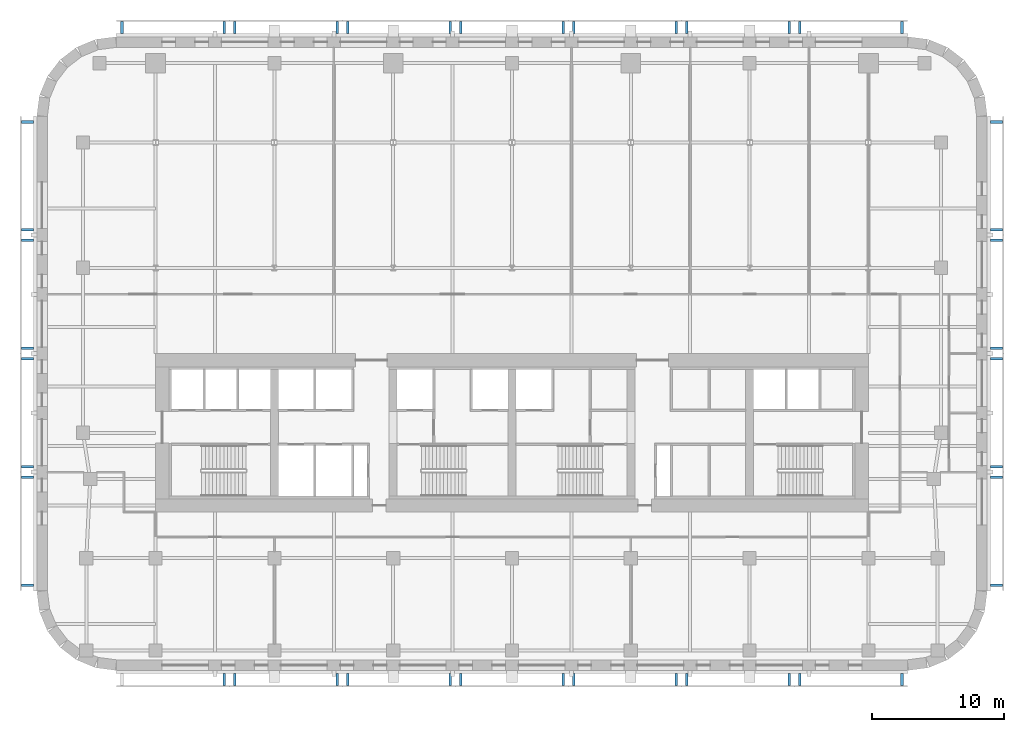
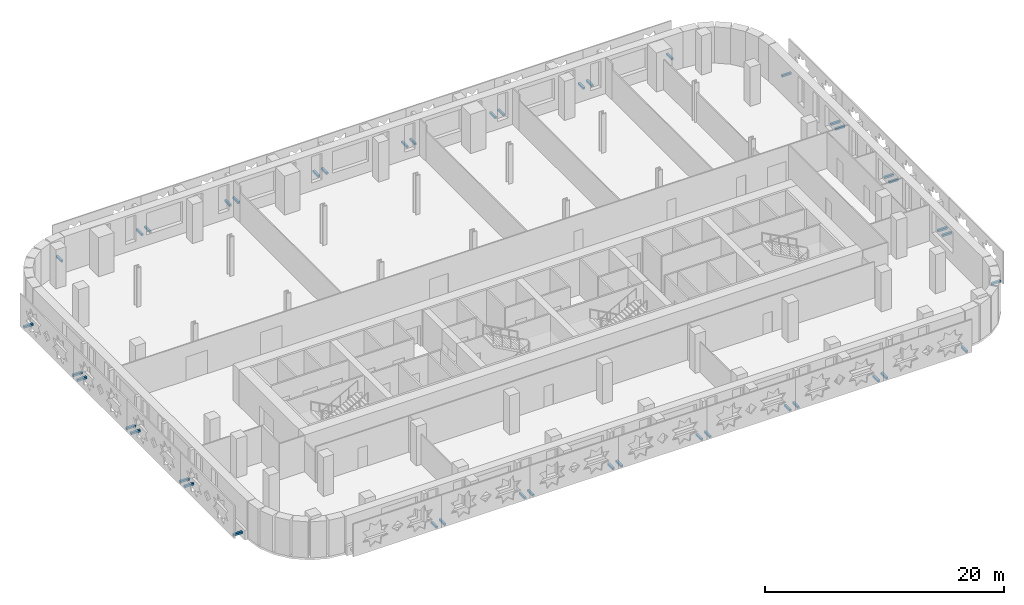
# One storey, part 8 of 10: 43 discrete accessories.
"""IFC4 building model written with IfcOpenShell, lengths in metres."""

from ifc_helpers import new_model, si_unit, direction, frame, origin, origin_2d, place, context, subcontext, project, spatial, rectangle, extrude, material, type_object, element, save


model = new_model("IFC4")

# Units and contexts
model_context = context("Model", 3, precision=1e-05, world=origin(), true_north=direction((0.0, 1.0)))
body_context = subcontext(model_context, "Body", "Model", "MODEL_VIEW")
ifc_project = project(units=[si_unit("LENGTHUNIT", "METRE"), si_unit("AREAUNIT", "SQUARE_METRE"), si_unit("VOLUMEUNIT", "CUBIC_METRE"), si_unit("PLANEANGLEUNIT", "RADIAN"), si_unit("MASSUNIT", "GRAM", prefix="KILO")], contexts=[model_context])

# Site, building, storey
site_placement = place(None, origin())
site = spatial("IfcSite", under=ifc_project, at=site_placement, CompositionType="ELEMENT")
building_placement = place(site_placement, origin())
building = spatial("IfcBuilding", under=site, at=building_placement, Name="Zellij Exchange Tower", CompositionType="ELEMENT")
storey_placement = place(building_placement, frame((0.0, 0.0, 152.5)))
storey = spatial("IfcBuildingStorey", under=building, at=storey_placement, Name="L34", CompositionType="ELEMENT", Elevation=152.5)

# Discrete accessories
ifc_material = material(Name="Stainless steel", Category="steel")
discrete_accessory_type = type_object("IfcDiscreteAccessoryType", Name="ENV-BR1 Stone panel bracket 200", PredefinedType="USERDEFINED", material=ifc_material)
for number, where, z_axis, x_axis, name in (
    (1, (-36.699951171875, 15.547607421875, 0.2998046875), (0.0, 0.0, 1.0), (0.0, -1.0, 0.0), "Panel bracket"),
    (2, (-36.699951171875, 7.373779296875, 0.2998046875), (0.0, 0.0, 1.0), (0.0, -1.0, 0.0), "Panel bracket"),
    (3, (-36.699951171875, 6.57373046875, 0.2998046875), (0.0, 0.0, 1.0), (0.0, -1.0, 0.0), "Panel bracket"),
    (4, (-36.699951171875, -1.60009765625, 0.2998046875), (0.0, 0.0, 1.0), (0.0, -1.0, 0.0), "Panel bracket"),
    (5, (-36.699951171875, -2.39990234375, 0.2998046875), (0.0, 0.0, 1.0), (0.0, -1.0, 0.0), "Panel bracket"),
    (6, (-36.699951171875, -10.57373046875, 0.2998046875), (0.0, 0.0, 1.0), (0.0, -1.0, 0.0), "Panel bracket"),
    (7, (-36.699951171875, -11.373779296875, 0.2998046875), (0.0, 0.0, 1.0), (0.0, -1.0, 0.0), "Panel bracket"),
    (8, (-36.699951171875, -19.547607421875, 0.2998046875), (0.0, 0.0, 1.0), (0.0, -1.0, 0.0), "Panel bracket"),
    (9, (-21.791015625, -26.699951171875, 0.2998046875), (0.0, 0.0, 1.0), (1.0, 0.0, 0.0), "Panel bracket"),
    (10, (-20.9912109375, -26.699951171875, 0.2998046875), (0.0, 0.0, 1.0), (1.0, 0.0, 0.0), "Panel bracket"),
    (11, (-13.234619140625, -26.699951171875, 0.2998046875), (0.0, 0.0, 1.0), (1.0, 0.0, 0.0), "Panel bracket"),
    (12, (-12.434814453125, -26.699951171875, 0.2998046875), (0.0, 0.0, 1.0), (1.0, 0.0, 0.0), "Panel bracket"),
    (13, (-4.67822265625, -26.699951171875, 0.2998046875), (0.0, 0.0, 1.0), (1.0, 0.0, 0.0), "Panel bracket"),
    (14, (-3.878173828125, -26.699951171875, 0.2998046875), (0.0, 0.0, 1.0), (1.0, 0.0, 0.0), "Panel bracket"),
    (15, (3.878173828125, -26.699951171875, 0.2998046875), (0.0, 0.0, 1.0), (1.0, 0.0, 0.0), "Panel bracket"),
    (16, (4.67822265625, -26.699951171875, 0.2998046875), (0.0, 0.0, 1.0), (1.0, 0.0, 0.0), "Panel bracket"),
    (17, (12.434814453125, -26.699951171875, 0.2998046875), (0.0, 0.0, 1.0), (1.0, 0.0, 0.0), "Panel bracket"),
    (18, (13.234619140625, -26.699951171875, 0.2998046875), (0.0, 0.0, 1.0), (1.0, 0.0, 0.0), "Panel bracket"),
    (19, (20.9912109375, -26.699951171875, 0.2998046875), (0.0, 0.0, 1.0), (1.0, 0.0, 0.0), "Panel bracket"),
    (20, (21.791015625, -26.699951171875, 0.2998046875), (0.0, 0.0, 1.0), (1.0, 0.0, 0.0), "Panel bracket"),
    (21, (29.547607421875, -26.699951171875, 0.2998046875), (0.0, 0.0, 1.0), (1.0, 0.0, 0.0), "Panel bracket"),
    (22, (29.547607421875, 22.699951171875, 0.2998046875), (0.0, 0.0, 1.0), (-1.0, 0.0, 0.0), "Panel bracket"),
    (23, (21.791015625, 22.699951171875, 0.2998046875), (0.0, 0.0, 1.0), (-1.0, 0.0, 0.0), "Panel bracket"),
    (24, (20.9912109375, 22.699951171875, 0.2998046875), (0.0, 0.0, 1.0), (-1.0, 0.0, 0.0), "Panel bracket"),
    (25, (13.234619140625, 22.699951171875, 0.2998046875), (0.0, 0.0, 1.0), (-1.0, 0.0, 0.0), "Panel bracket"),
    (26, (12.434814453125, 22.699951171875, 0.2998046875), (0.0, 0.0, 1.0), (-1.0, 0.0, 0.0), "Panel bracket"),
    (27, (4.67822265625, 22.699951171875, 0.2998046875), (0.0, 0.0, 1.0), (-1.0, 0.0, 0.0), "Panel bracket"),
    (28, (3.878173828125, 22.699951171875, 0.2998046875), (0.0, 0.0, 1.0), (-1.0, 0.0, 0.0), "Panel bracket"),
    (29, (-3.878173828125, 22.699951171875, 0.2998046875), (0.0, 0.0, 1.0), (-1.0, 0.0, 0.0), "Panel bracket"),
    (30, (-4.67822265625, 22.699951171875, 0.2998046875), (0.0, 0.0, 1.0), (-1.0, 0.0, 0.0), "Panel bracket"),
    (31, (-12.434814453125, 22.699951171875, 0.2998046875), (0.0, 0.0, 1.0), (-1.0, 0.0, 0.0), "Panel bracket"),
    (32, (-13.234619140625, 22.699951171875, 0.2998046875), (0.0, 0.0, 1.0), (-1.0, 0.0, 0.0), "Panel bracket"),
    (33, (-20.9912109375, 22.699951171875, 0.2998046875), (0.0, 0.0, 1.0), (-1.0, 0.0, 0.0), "Panel bracket"),
    (34, (-21.791015625, 22.699951171875, 0.2998046875), (0.0, 0.0, 1.0), (-1.0, 0.0, 0.0), "Panel bracket"),
    (35, (-29.547607421875, 22.699951171875, 0.2998046875), (0.0, 0.0, 1.0), (-1.0, 0.0, 0.0), "Panel bracket"),
    (36, (36.699951171875, -19.547607421875, 0.2998046875), (0.0, 0.0, 1.0), (0.0, 1.0, 0.0), "Panel bracket"),
    (37, (36.699951171875, -11.373779296875, 0.2998046875), (0.0, 0.0, 1.0), (0.0, 1.0, 0.0), "Panel bracket"),
    (38, (36.699951171875, -10.57373046875, 0.2998046875), (0.0, 0.0, 1.0), (0.0, 1.0, 0.0), "Panel bracket"),
    (39, (36.699951171875, -2.39990234375, 0.2998046875), (0.0, 0.0, 1.0), (0.0, 1.0, 0.0), "Panel bracket"),
    (40, (36.699951171875, -1.60009765625, 0.2998046875), (0.0, 0.0, 1.0), (0.0, 1.0, 0.0), "Panel bracket"),
    (41, (36.699951171875, 6.57373046875, 0.2998046875), (0.0, 0.0, 1.0), (0.0, 1.0, 0.0), "Panel bracket"),
    (42, (36.699951171875, 7.373779296875, 0.2998046875), (0.0, 0.0, 1.0), (0.0, 1.0, 0.0), "Panel bracket"),
    (43, (36.699951171875, 15.547607421875, 0.2998046875), (0.0, 0.0, 1.0), (0.0, 1.0, 0.0), "Panel bracket"),
):
    element("IfcDiscreteAccessory", number, at=place(storey_placement, frame(where, z_axis=z_axis, x_axis=x_axis)), inside=storey, type_object=discrete_accessory_type, Name=name, ObjectType="BRACKET", PredefinedType="USERDEFINED", context=body_context, shape_type="SweptSolid", body=[
        extrude(rectangle(XDim=0.199951171875, YDim=0.89990234375, at=origin_2d()), origin(), (0.0, 0.0, 1.0), 0.199951171875),
    ])

save(model, "model.ifc")
